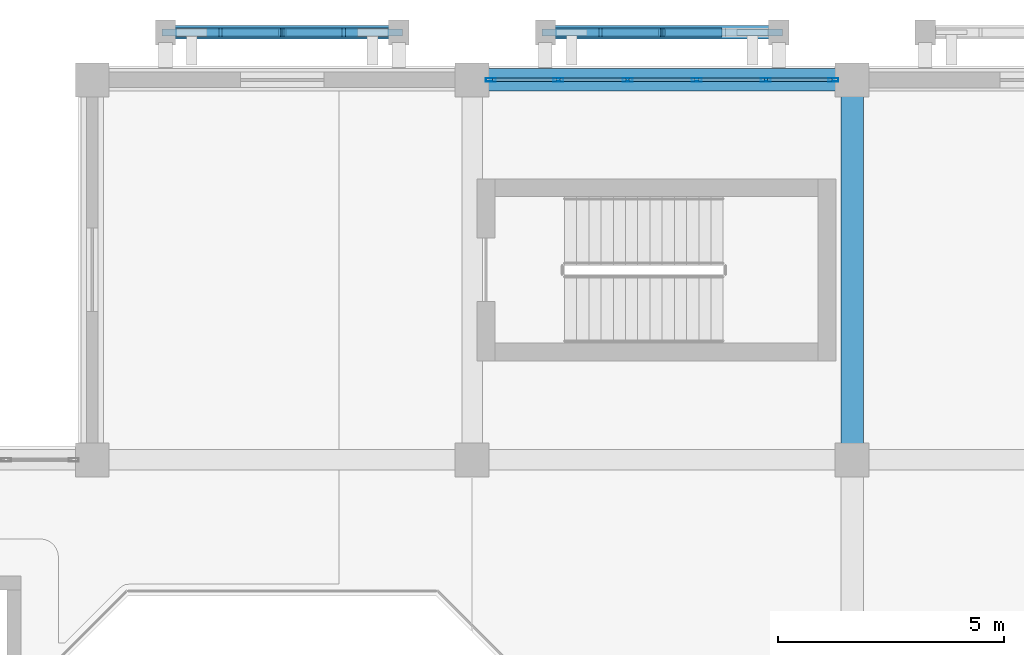
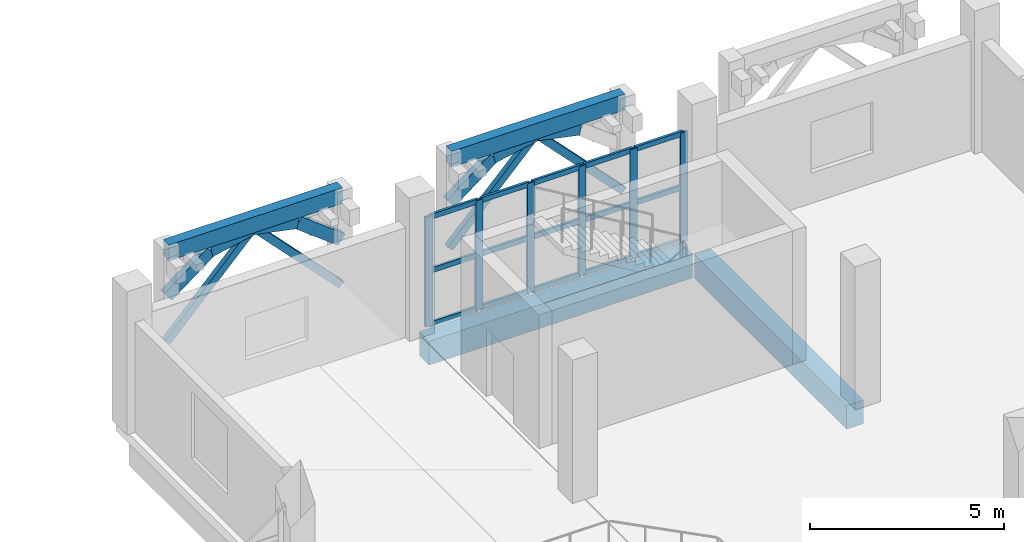
# One storey, part 16 of 30: 32 members, 4 beams, 1 element without a shape of its own.
"""IFC4 building model written with IfcOpenShell, lengths in metres."""

from ifc_helpers import new_model, si_unit, direction, frame, origin, origin_2d, place, context, subcontext, project, spatial, rectangle, hollow_rectangle, extrude, material, layer, layer_set, material_profile, profile_set, type_object, element, aggregate, save


model = new_model("IFC4")

# Units and contexts
model_context = context("Model", 3, precision=1e-05, world=origin(), true_north=direction((0.0, 1.0)))
body_context = subcontext(model_context, "Body", "Model", "MODEL_VIEW")
ifc_project = project(units=[si_unit("LENGTHUNIT", "METRE"), si_unit("AREAUNIT", "SQUARE_METRE"), si_unit("VOLUMEUNIT", "CUBIC_METRE"), si_unit("PLANEANGLEUNIT", "RADIAN"), si_unit("MASSUNIT", "GRAM", prefix="KILO")], contexts=[model_context])

# Site, building, storey
site_placement = place(None, origin())
site = spatial("IfcSite", under=ifc_project, at=site_placement, CompositionType="ELEMENT")
building_placement = place(site_placement, origin())
building = spatial("IfcBuilding", under=site, at=building_placement, Name="Xazarin Passage Department Store", CompositionType="ELEMENT")
storey_placement = place(building_placement, frame((0.0, 0.0, 23.39990234375)))
storey = spatial("IfcBuildingStorey", under=building, at=storey_placement, Name="L05", CompositionType="ELEMENT", Elevation=23.39990234375)

# Curtain wall, members
ifc_material_1 = material(Name="Bronze anodised aluminium", Category="aluminium")
ifc_layer = layer(ifc_material_1, 0.199951171875)
ifc_layer_set = layer_set([ifc_layer], Name="Bronze anodised aluminium")
curtain_wall_type = type_object("IfcCurtainWallType", Name="ARC-CW-VIT2", PredefinedType="NOTDEFINED", material=ifc_layer_set)
curtain_wall_placement = place(storey_placement, origin())
curtain_wall = element("IfcCurtainWall", 1, at=curtain_wall_placement, inside=storey, type_object=curtain_wall_type, Name="L05 V1 Curtain Wall 080", PredefinedType="NOTDEFINED")
ifc_material_profile_1 = material_profile(ifc_material_1, hollow_rectangle(XDim=0.074951171875, YDim=0.219970703125, WallThickness=0.0048828125, at=origin_2d()), Name="ALU 75x220")
ifc_profile_set_1 = profile_set([ifc_material_profile_1], Name="Bronze anodised aluminium")
member_type_1 = type_object("IfcMemberType", Name="ARC-CWM-75x220", PredefinedType="MULLION", material=ifc_profile_set_1)
member_1_placement = place(storey_placement, frame((25.612548828125, 110.0, 0.0), z_axis=(0.0, 0.0, 1.0), x_axis=(0.0, 1.0, 0.0)))
member_1 = element("IfcMember", 2, at=member_1_placement, type_object=member_type_1, Name="CW2 mullion 1", PredefinedType="MULLION", context=body_context, shape_type="SweptSolid", body=[
    extrude(hollow_rectangle(XDim=0.074951171875, YDim=0.219970703125, WallThickness=0.0048828125, at=origin_2d()), origin(), (0.0, 0.0, 1.0), 3.4501953125),
])
member_2_placement = place(storey_placement, frame((27.10498046875, 110.0, 0.0), z_axis=(0.0, 0.0, 1.0), x_axis=(0.0, 1.0, 0.0)))
member_2 = element("IfcMember", 3, at=member_2_placement, type_object=member_type_1, Name="CW2 mullion 2", PredefinedType="MULLION", context=body_context, shape_type="SweptSolid", body=[
    extrude(hollow_rectangle(XDim=0.074951171875, YDim=0.219970703125, WallThickness=0.0048828125, at=origin_2d()), origin(), (0.0, 0.0, 1.0), 3.4501953125),
])
member_3_placement = place(storey_placement, frame((28.635009765625, 110.0, 0.0), z_axis=(0.0, 0.0, 1.0), x_axis=(0.0, 1.0, 0.0)))
member_3 = element("IfcMember", 4, at=member_3_placement, type_object=member_type_1, Name="CW2 mullion 3", PredefinedType="MULLION", context=body_context, shape_type="SweptSolid", body=[
    extrude(hollow_rectangle(XDim=0.074951171875, YDim=0.219970703125, WallThickness=0.0048828125, at=origin_2d()), origin(), (0.0, 0.0, 1.0), 3.4501953125),
])
member_4_placement = place(storey_placement, frame((30.1650390625, 110.0, 0.0), z_axis=(0.0, 0.0, 1.0), x_axis=(0.0, 1.0, 0.0)))
member_4 = element("IfcMember", 5, at=member_4_placement, type_object=member_type_1, Name="CW2 mullion 4", PredefinedType="MULLION", context=body_context, shape_type="SweptSolid", body=[
    extrude(hollow_rectangle(XDim=0.074951171875, YDim=0.219970703125, WallThickness=0.0048828125, at=origin_2d()), origin(), (0.0, 0.0, 1.0), 3.4501953125),
])
member_5_placement = place(storey_placement, frame((31.695068359375, 110.0, 0.0), z_axis=(0.0, 0.0, 1.0), x_axis=(0.0, 1.0, 0.0)))
member_5 = element("IfcMember", 6, at=member_5_placement, type_object=member_type_1, Name="CW2 mullion 5", PredefinedType="MULLION", context=body_context, shape_type="SweptSolid", body=[
    extrude(hollow_rectangle(XDim=0.074951171875, YDim=0.219970703125, WallThickness=0.0048828125, at=origin_2d()), origin(), (0.0, 0.0, 1.0), 3.4501953125),
])
member_6_placement = place(storey_placement, frame((33.1875, 110.0, 0.0), z_axis=(0.0, 0.0, 1.0), x_axis=(0.0, 1.0, 0.0)))
member_6 = element("IfcMember", 7, at=member_6_placement, type_object=member_type_1, Name="CW2 mullion 6", PredefinedType="MULLION", context=body_context, shape_type="SweptSolid", body=[
    extrude(hollow_rectangle(XDim=0.074951171875, YDim=0.219970703125, WallThickness=0.0048828125, at=origin_2d()), origin(), (0.0, 0.0, 1.0), 3.4501953125),
])
ifc_material_profile_2 = material_profile(ifc_material_1, hollow_rectangle(XDim=0.074951171875, YDim=0.159912109375, WallThickness=0.00439453125, at=origin_2d()), Name="ALU 75x160")
ifc_profile_set_2 = profile_set([ifc_material_profile_2], Name="Bronze anodised aluminium")
member_type_2 = type_object("IfcMemberType", Name="ARC-CWT-75x160", PredefinedType="USERDEFINED", material=ifc_profile_set_2)
member_7_placement = place(storey_placement, frame((25.64990234375, 110.0, 0.03759765625), z_axis=(1.0, 0.0, 0.0), x_axis=(0.0, 1.0, 0.0)))
member_7 = element("IfcMember", 8, at=member_7_placement, type_object=member_type_2, Name="CW2 transom 1.1", ObjectType="TRANSOM", PredefinedType="USERDEFINED", context=body_context, shape_type="SweptSolid", body=[
    extrude(hollow_rectangle(XDim=0.074951171875, YDim=0.159912109375, WallThickness=0.00439453125, at=origin_2d()), origin(), (0.0, 0.0, 1.0), 1.41748046875),
])
member_8_placement = place(storey_placement, frame((25.64990234375, 110.0, 1.72509765625), z_axis=(1.0, 0.0, 0.0), x_axis=(0.0, 1.0, 0.0)))
member_8 = element("IfcMember", 9, at=member_8_placement, type_object=member_type_2, Name="CW2 transom 1.2", ObjectType="TRANSOM", PredefinedType="USERDEFINED", context=body_context, shape_type="SweptSolid", body=[
    extrude(hollow_rectangle(XDim=0.074951171875, YDim=0.159912109375, WallThickness=0.00439453125, at=origin_2d()), origin(), (0.0, 0.0, 1.0), 1.41748046875),
])
member_9_placement = place(storey_placement, frame((25.64990234375, 110.0, 3.41259765625), z_axis=(1.0, 0.0, 0.0), x_axis=(0.0, 1.0, 0.0)))
member_9 = element("IfcMember", 10, at=member_9_placement, type_object=member_type_2, Name="CW2 transom 1.3", ObjectType="TRANSOM", PredefinedType="USERDEFINED", context=body_context, shape_type="SweptSolid", body=[
    extrude(hollow_rectangle(XDim=0.074951171875, YDim=0.159912109375, WallThickness=0.00439453125, at=origin_2d()), origin(), (0.0, 0.0, 1.0), 1.41748046875),
])
member_10_placement = place(storey_placement, frame((27.142578125, 110.0, 0.03759765625), z_axis=(1.0, 0.0, 0.0), x_axis=(0.0, 1.0, 0.0)))
member_10 = element("IfcMember", 11, at=member_10_placement, type_object=member_type_2, Name="CW2 transom 2.1", ObjectType="TRANSOM", PredefinedType="USERDEFINED", context=body_context, shape_type="SweptSolid", body=[
    extrude(hollow_rectangle(XDim=0.074951171875, YDim=0.159912109375, WallThickness=0.00439453125, at=origin_2d()), origin(), (0.0, 0.0, 1.0), 1.454833984375),
])
member_11_placement = place(storey_placement, frame((27.142578125, 110.0, 1.72509765625), z_axis=(1.0, 0.0, 0.0), x_axis=(0.0, 1.0, 0.0)))
member_11 = element("IfcMember", 12, at=member_11_placement, type_object=member_type_2, Name="CW2 transom 2.2", ObjectType="TRANSOM", PredefinedType="USERDEFINED", context=body_context, shape_type="SweptSolid", body=[
    extrude(hollow_rectangle(XDim=0.074951171875, YDim=0.159912109375, WallThickness=0.00439453125, at=origin_2d()), origin(), (0.0, 0.0, 1.0), 1.454833984375),
])
member_12_placement = place(storey_placement, frame((27.142578125, 110.0, 3.41259765625), z_axis=(1.0, 0.0, 0.0), x_axis=(0.0, 1.0, 0.0)))
member_12 = element("IfcMember", 13, at=member_12_placement, type_object=member_type_2, Name="CW2 transom 2.3", ObjectType="TRANSOM", PredefinedType="USERDEFINED", context=body_context, shape_type="SweptSolid", body=[
    extrude(hollow_rectangle(XDim=0.074951171875, YDim=0.159912109375, WallThickness=0.00439453125, at=origin_2d()), origin(), (0.0, 0.0, 1.0), 1.454833984375),
])
member_13_placement = place(storey_placement, frame((28.672607421875, 110.0, 0.03759765625), z_axis=(1.0, 0.0, 0.0), x_axis=(0.0, 1.0, 0.0)))
member_13 = element("IfcMember", 14, at=member_13_placement, type_object=member_type_2, Name="CW2 transom 3.1", ObjectType="TRANSOM", PredefinedType="USERDEFINED", context=body_context, shape_type="SweptSolid", body=[
    extrude(hollow_rectangle(XDim=0.074951171875, YDim=0.159912109375, WallThickness=0.00439453125, at=origin_2d()), origin(), (0.0, 0.0, 1.0), 1.454833984375),
])
member_14_placement = place(storey_placement, frame((28.672607421875, 110.0, 1.72509765625), z_axis=(1.0, 0.0, 0.0), x_axis=(0.0, 1.0, 0.0)))
member_14 = element("IfcMember", 15, at=member_14_placement, type_object=member_type_2, Name="CW2 transom 3.2", ObjectType="TRANSOM", PredefinedType="USERDEFINED", context=body_context, shape_type="SweptSolid", body=[
    extrude(hollow_rectangle(XDim=0.074951171875, YDim=0.159912109375, WallThickness=0.00439453125, at=origin_2d()), origin(), (0.0, 0.0, 1.0), 1.454833984375),
])
member_15_placement = place(storey_placement, frame((28.672607421875, 110.0, 3.41259765625), z_axis=(1.0, 0.0, 0.0), x_axis=(0.0, 1.0, 0.0)))
member_15 = element("IfcMember", 16, at=member_15_placement, type_object=member_type_2, Name="CW2 transom 3.3", ObjectType="TRANSOM", PredefinedType="USERDEFINED", context=body_context, shape_type="SweptSolid", body=[
    extrude(hollow_rectangle(XDim=0.074951171875, YDim=0.159912109375, WallThickness=0.00439453125, at=origin_2d()), origin(), (0.0, 0.0, 1.0), 1.454833984375),
])
member_16_placement = place(storey_placement, frame((30.202392578125, 110.0, 0.03759765625), z_axis=(1.0, 0.0, 0.0), x_axis=(0.0, 1.0, 0.0)))
member_16 = element("IfcMember", 17, at=member_16_placement, type_object=member_type_2, Name="CW2 transom 4.1", ObjectType="TRANSOM", PredefinedType="USERDEFINED", context=body_context, shape_type="SweptSolid", body=[
    extrude(hollow_rectangle(XDim=0.074951171875, YDim=0.159912109375, WallThickness=0.00439453125, at=origin_2d()), origin(), (0.0, 0.0, 1.0), 1.455078125),
])
member_17_placement = place(storey_placement, frame((30.202392578125, 110.0, 1.72509765625), z_axis=(1.0, 0.0, 0.0), x_axis=(0.0, 1.0, 0.0)))
member_17 = element("IfcMember", 18, at=member_17_placement, type_object=member_type_2, Name="CW2 transom 4.2", ObjectType="TRANSOM", PredefinedType="USERDEFINED", context=body_context, shape_type="SweptSolid", body=[
    extrude(hollow_rectangle(XDim=0.074951171875, YDim=0.159912109375, WallThickness=0.00439453125, at=origin_2d()), origin(), (0.0, 0.0, 1.0), 1.455078125),
])
member_18_placement = place(storey_placement, frame((30.202392578125, 110.0, 3.41259765625), z_axis=(1.0, 0.0, 0.0), x_axis=(0.0, 1.0, 0.0)))
member_18 = element("IfcMember", 19, at=member_18_placement, type_object=member_type_2, Name="CW2 transom 4.3", ObjectType="TRANSOM", PredefinedType="USERDEFINED", context=body_context, shape_type="SweptSolid", body=[
    extrude(hollow_rectangle(XDim=0.074951171875, YDim=0.159912109375, WallThickness=0.00439453125, at=origin_2d()), origin(), (0.0, 0.0, 1.0), 1.455078125),
])
member_19_placement = place(storey_placement, frame((31.732421875, 110.0, 0.03759765625), z_axis=(1.0, 0.0, 0.0), x_axis=(0.0, 1.0, 0.0)))
member_19 = element("IfcMember", 20, at=member_19_placement, type_object=member_type_2, Name="CW2 transom 5.1", ObjectType="TRANSOM", PredefinedType="USERDEFINED", context=body_context, shape_type="SweptSolid", body=[
    extrude(hollow_rectangle(XDim=0.074951171875, YDim=0.159912109375, WallThickness=0.00439453125, at=origin_2d()), origin(), (0.0, 0.0, 1.0), 1.41748046875),
])
member_20_placement = place(storey_placement, frame((31.732421875, 110.0, 1.72509765625), z_axis=(1.0, 0.0, 0.0), x_axis=(0.0, 1.0, 0.0)))
member_20 = element("IfcMember", 21, at=member_20_placement, type_object=member_type_2, Name="CW2 transom 5.2", ObjectType="TRANSOM", PredefinedType="USERDEFINED", context=body_context, shape_type="SweptSolid", body=[
    extrude(hollow_rectangle(XDim=0.074951171875, YDim=0.159912109375, WallThickness=0.00439453125, at=origin_2d()), origin(), (0.0, 0.0, 1.0), 1.41748046875),
])
member_21_placement = place(storey_placement, frame((31.732421875, 110.0, 3.41259765625), z_axis=(1.0, 0.0, 0.0), x_axis=(0.0, 1.0, 0.0)))
member_21 = element("IfcMember", 22, at=member_21_placement, type_object=member_type_2, Name="CW2 transom 5.3", ObjectType="TRANSOM", PredefinedType="USERDEFINED", context=body_context, shape_type="SweptSolid", body=[
    extrude(hollow_rectangle(XDim=0.074951171875, YDim=0.159912109375, WallThickness=0.00439453125, at=origin_2d()), origin(), (0.0, 0.0, 1.0), 1.41748046875),
])
aggregate(curtain_wall, [member_1, member_2, member_3, member_4, member_5, member_6, member_7, member_8, member_9, member_10, member_11, member_12, member_13, member_14, member_15, member_16, member_17, member_18, member_19, member_20, member_21])

# Beams
ifc_material_2 = material(Name="Concrete C35/45", Category="concrete")
ifc_material_profile_3 = material_profile(ifc_material_2, rectangle(XDim=0.300048828125, YDim=0.5, at=origin_2d()), Name="RC 300x500")
ifc_profile_set_3 = profile_set([ifc_material_profile_3], Name="Concrete C35/45")
beam_type_1 = type_object("IfcBeamType", Name="STR-BM-LN300x500", PredefinedType="LINTEL", material=ifc_profile_set_3)
beam_1_placement = place(storey_placement, frame((18.419921875, 111.050048828125, 4.25), z_axis=(1.0, 0.0, 0.0), x_axis=(0.0, 1.0, 0.0)))
element("IfcBeam", 23, at=beam_1_placement, inside=storey, type_object=beam_type_1, Name="L05 V1 Colonnade Spandrel Beam 001", PredefinedType="LINTEL", context=body_context, shape_type="SweptSolid", body=[
    extrude(rectangle(XDim=0.300048828125, YDim=0.5, at=origin_2d()), origin(), (0.0, 0.0, 1.0), 5.16015625),
])
beam_2_placement = place(storey_placement, frame((26.820068359375, 111.050048828125, 4.25), z_axis=(1.0, 0.0, 0.0), x_axis=(0.0, 1.0, 0.0)))
element("IfcBeam", 24, at=beam_2_placement, inside=storey, type_object=beam_type_1, Name="L05 V1 Colonnade Spandrel Beam 002", PredefinedType="LINTEL", context=body_context, shape_type="SweptSolid", body=[
    extrude(rectangle(XDim=0.300048828125, YDim=0.5, at=origin_2d()), origin(), (0.0, 0.0, 1.0), 5.159912109375),
])
ifc_material_profile_4 = material_profile(ifc_material_2, rectangle(XDim=0.5, YDim=0.75, at=origin_2d()), Name="RC 500x750")
ifc_profile_set_4 = profile_set([ifc_material_profile_4], Name="Concrete C35/45")
beam_type_2 = type_object("IfcBeamType", Name="STR-BM-SP500x750", PredefinedType="SPANDREL", material=ifc_profile_set_4)
for number, where, z_axis, x_axis, name in (
    (25, (25.47998046875, 110.0, -0.6748046875), (1.0, 0.0, 0.0), (0.0, 1.0, 0.0), "L05 Grid Beam Q/4-5"),
    (26, (33.60009765625, 101.8798828125, -0.6748046875), (0.0, 1.0, 0.0), (-1.0, 0.0, 0.0), "L05 Grid Beam 5/P-Q"),
):
    element("IfcBeam", number, at=place(storey_placement, frame(where, z_axis=z_axis, x_axis=x_axis)), inside=storey, type_object=beam_type_2, Name=name, PredefinedType="SPANDREL", context=body_context, shape_type="SweptSolid", body=[
        extrude(rectangle(XDim=0.5, YDim=0.75, at=origin_2d()), origin(), (0.0, 0.0, 1.0), 7.840087890625),
    ])

# Members
ifc_material_3 = material(Name="Concrete C40/50", Category="concrete")
ifc_material_profile_5 = material_profile(ifc_material_3, rectangle(XDim=0.199951171875, YDim=0.360107421875, at=origin_2d()), Name="RC 200x360")
ifc_profile_set_5 = profile_set([ifc_material_profile_5], Name="Concrete C40/50")
member_type_3 = type_object("IfcMemberType", Name="STR-MEM-ARC360", PredefinedType="CHORD", material=ifc_profile_set_5)
member_22_placement = place(storey_placement, frame((18.419921875, 111.050048828125, 2.830078125), z_axis=(0.79440903847, 0.0, 0.607383140692), x_axis=(0.0, 1.0, 0.0)))
element("IfcMember", 27, at=member_22_placement, inside=storey, type_object=member_type_3, Name="L05 V1 Pierced Lattice Curved Arch 001.1", PredefinedType="CHORD", context=body_context, shape_type="SweptSolid", body=[
    extrude(rectangle(XDim=0.199951171875, YDim=0.360107421875, at=origin_2d()), origin(), (0.0, 0.0, 1.0), 1.623779296875),
])
for number, where, z_axis, x_axis, name in (
    (28, (19.7099609375, 111.050048828125, 3.81640625), (0.979744705887, 0.0, 0.200250621188), (0.0, 1.0, 0.0), "L05 V1 Pierced Lattice Curved Arch 001.2"),
    (29, (21.0, 111.050048828125, 4.080078125), (0.979744705887, 0.0, -0.200250621188), (0.0, 1.0, 0.0), "L05 V1 Pierced Lattice Curved Arch 001.3"),
):
    element("IfcMember", number, at=place(storey_placement, frame(where, z_axis=z_axis, x_axis=x_axis)), inside=storey, type_object=member_type_3, Name=name, PredefinedType="CHORD", context=body_context, shape_type="SweptSolid", body=[
        extrude(rectangle(XDim=0.199951171875, YDim=0.360107421875, at=origin_2d()), origin(), (0.0, 0.0, 1.0), 1.316650390625),
    ])
for number, where, z_axis, x_axis, name in (
    (30, (22.2900390625, 111.050048828125, 3.81640625), (0.79440903847, 0.0, -0.607383140692), (0.0, 1.0, 0.0), "L05 V1 Pierced Lattice Curved Arch 001.4"),
    (31, (26.820068359375, 111.050048828125, 2.830078125), (0.79440903847, 0.0, 0.607383140692), (0.0, 1.0, 0.0), "L05 V1 Pierced Lattice Curved Arch 002.1"),
):
    element("IfcMember", number, at=place(storey_placement, frame(where, z_axis=z_axis, x_axis=x_axis)), inside=storey, type_object=member_type_3, Name=name, PredefinedType="CHORD", context=body_context, shape_type="SweptSolid", body=[
        extrude(rectangle(XDim=0.199951171875, YDim=0.360107421875, at=origin_2d()), origin(), (0.0, 0.0, 1.0), 1.623779296875),
    ])
member_23_placement = place(storey_placement, frame((28.110107421875, 111.050048828125, 3.81640625), z_axis=(0.979737268571, 0.0, 0.2002870055), x_axis=(0.0, 1.0, 0.0)))
element("IfcMember", 32, at=member_23_placement, inside=storey, type_object=member_type_3, Name="L05 V1 Pierced Lattice Curved Arch 002.2", PredefinedType="CHORD", context=body_context, shape_type="SweptSolid", body=[
    extrude(rectangle(XDim=0.199951171875, YDim=0.360107421875, at=origin_2d()), origin(), (0.0, 0.0, 1.0), 1.31640625),
])
member_24_placement = place(storey_placement, frame((29.39990234375, 111.050048828125, 4.080078125), z_axis=(0.979744705887, 0.0, -0.200250621188), x_axis=(0.0, 1.0, 0.0)))
element("IfcMember", 33, at=member_24_placement, inside=storey, type_object=member_type_3, Name="L05 V1 Pierced Lattice Curved Arch 002.3", PredefinedType="CHORD", context=body_context, shape_type="SweptSolid", body=[
    extrude(rectangle(XDim=0.199951171875, YDim=0.360107421875, at=origin_2d()), origin(), (0.0, 0.0, 1.0), 1.316650390625),
])
ifc_material_profile_6 = material_profile(ifc_material_3, rectangle(XDim=0.159912109375, YDim=0.219970703125, at=origin_2d()), Name="RC 160x220")
ifc_profile_set_6 = profile_set([ifc_material_profile_6], Name="Concrete C40/50")
member_type_4 = type_object("IfcMemberType", Name="STR-MEM-TRC220", PredefinedType="CHORD", material=ifc_profile_set_6)
for number, where, z_axis, x_axis, name in (
    (34, (21.0, 111.050048828125, 4.080078125), (-0.693558444435, 0.0, -0.720400363793), (0.0, -1.0, 0.0), "L05 V1 Upper Lattice Tracery Arch 001L"),
    (35, (21.0, 111.050048828125, 4.080078125), (0.693558444435, 0.0, -0.720400363793), (0.0, 1.0, 0.0), "L05 V1 Upper Lattice Tracery Arch 001R"),
    (36, (29.39990234375, 111.050048828125, 4.080078125), (-0.693524382622, 0.0, -0.72043315492), (0.0, -1.0, 0.0), "L05 V1 Upper Lattice Tracery Arch 002L"),
    (37, (29.39990234375, 111.050048828125, 4.080078125), (0.693558444435, 0.0, -0.720400363793), (0.0, 1.0, 0.0), "L05 V1 Upper Lattice Tracery Arch 002R"),
):
    element("IfcMember", number, at=place(storey_placement, frame(where, z_axis=z_axis, x_axis=x_axis)), inside=storey, type_object=member_type_4, Name=name, PredefinedType="CHORD", context=body_context, shape_type="SweptSolid", body=[
        extrude(rectangle(XDim=0.159912109375, YDim=0.219970703125, at=origin_2d()), origin(), (0.0, 0.0, 1.0), 3.719970703125),
    ])

save(model, "model.ifc")
